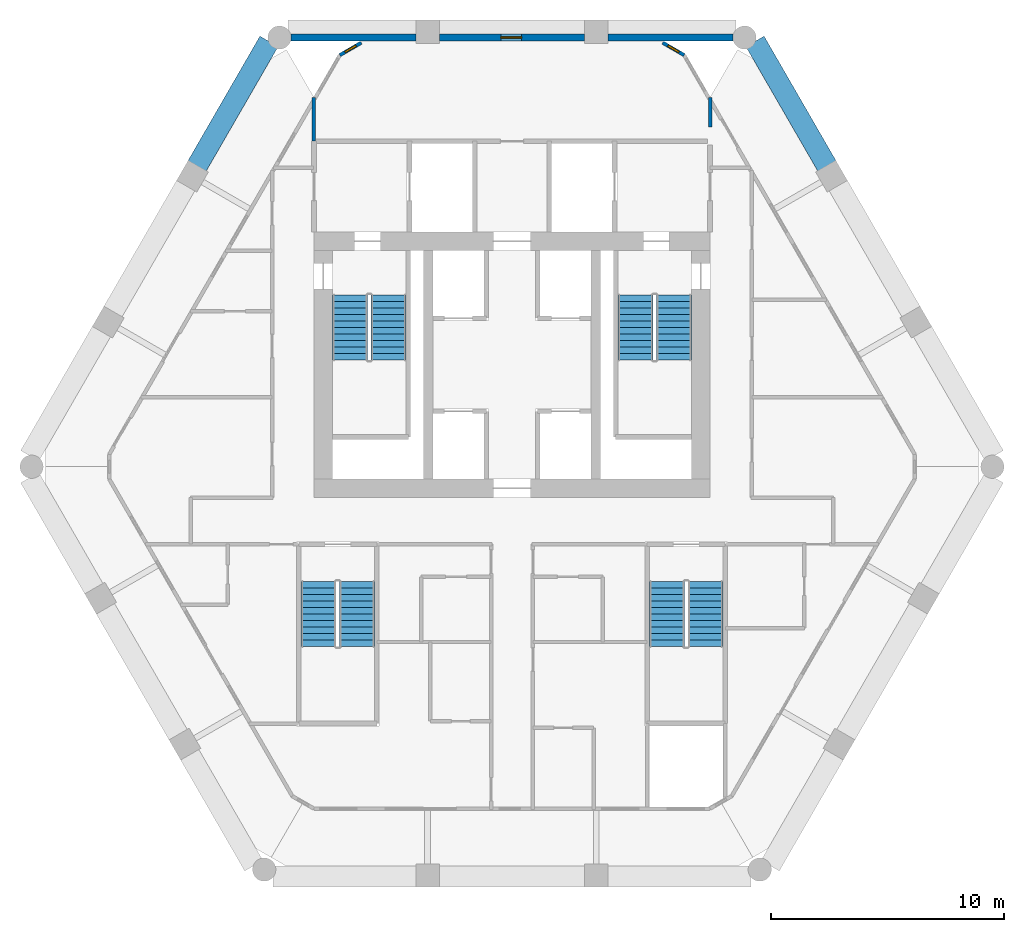
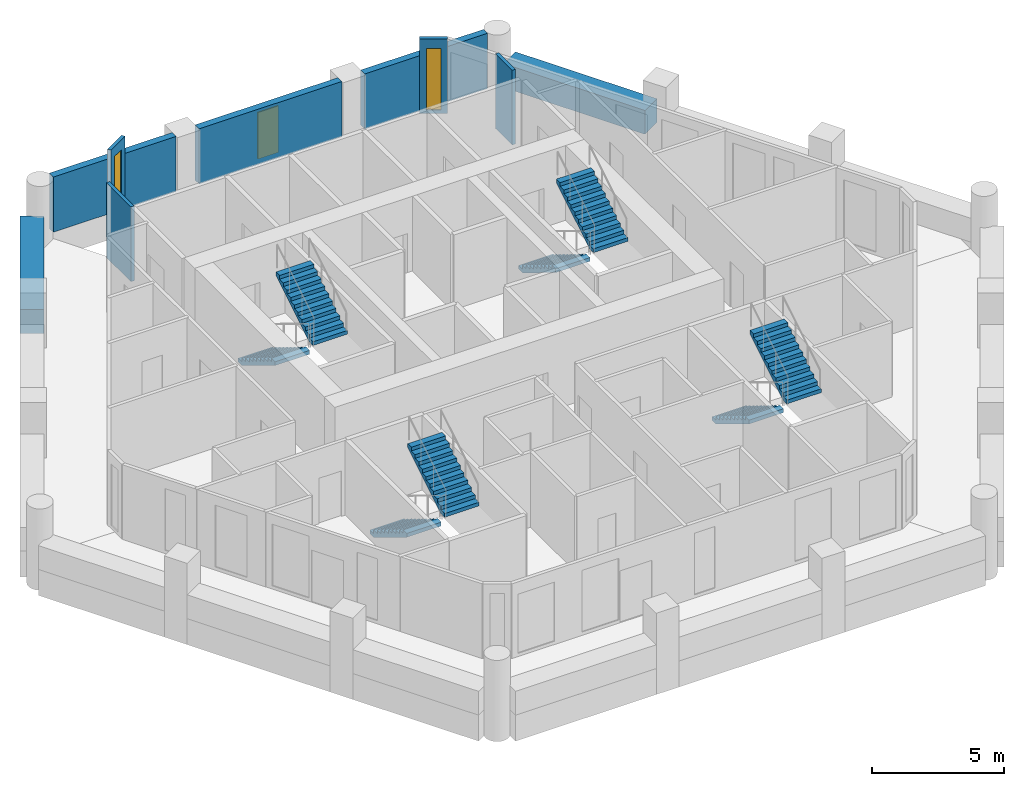
# One storey, part 6 of 7: 9 walls, 8 stair flights, 3 windows, 3 openings, 4 elements without a shape of their own.
"""IFC4 building model written with IfcOpenShell, lengths in metres."""

from ifc_helpers import new_model, si_unit, direction, frame, frame_2d, origin, place, context, subcontext, project, spatial, polyline, rectangle, outline, extrude, material, layer, layer_set, type_object, element, fill, aggregate, save


model = new_model("IFC4")

# Units and contexts
model_context = context("Model", 3, precision=1e-05, world=origin(), true_north=direction((0.0, 1.0)))
body_context = subcontext(model_context, "Body", "Model", "MODEL_VIEW")
ifc_project = project(units=[si_unit("LENGTHUNIT", "METRE"), si_unit("AREAUNIT", "SQUARE_METRE"), si_unit("VOLUMEUNIT", "CUBIC_METRE"), si_unit("PLANEANGLEUNIT", "RADIAN"), si_unit("MASSUNIT", "GRAM", prefix="KILO")], contexts=[model_context])

# Site, building, storey
site_placement = place(None, origin())
site = spatial("IfcSite", under=ifc_project, at=site_placement, CompositionType="ELEMENT")
building_placement = place(site_placement, origin())
building = spatial("IfcBuilding", under=site, at=building_placement, Name="Ostrander Bayou Hotel Tower", CompositionType="ELEMENT")
storey_placement = place(building_placement, frame((0.0, 0.0, 168.25)))
storey = spatial("IfcBuildingStorey", under=building, at=storey_placement, Name="L41", CompositionType="ELEMENT", Elevation=168.25)

# Wall, opening, window
ifc_material_1 = material(Name="Aluminium framed insulated wall", Category="aluminium")
ifc_layer_1 = layer(ifc_material_1, 0.14990234375)
ifc_layer_set_1 = layer_set([ifc_layer_1], Name="GW1 glass-line wall 150 mm")
wall_type_1 = type_object("IfcWallType", Name="GW1 glass-line wall 150 mm", PredefinedType="SOLIDWALL", material=ifc_layer_set_1)
wall_1_placement = place(storey_placement, frame((-6.470458984375, 17.824951171875, 0.0), z_axis=(0.0, 0.0, 1.0), x_axis=(-0.866048165231, -0.499960573946, 0.0)))
wall_1 = element("IfcWall", 1, at=wall_1_placement, inside=storey, type_object=wall_type_1, Name="GW1 L41 corner 1", PredefinedType="SOLIDWALL", context=body_context, shape_type="SweptSolid", body=[
    extrude(rectangle(XDim=1.06494140625, YDim=0.14990234375, at=frame_2d((0.532470703125, 0.0))), origin(), (0.0, 0.0, 1.0), 3.449951171875),
])
opening_1_placement = place(wall_1_placement, frame((0.257568359375, 0.0, 0.14990234375)))
opening_1 = element("IfcOpeningElement", 2, at=opening_1_placement, cuts=wall_1, Name="Opening W19", PredefinedType="OPENING", context=body_context, shape_type="SweptSolid", body=[
    extrude(rectangle(XDim=0.550048828125, YDim=2.85009765625, at=frame_2d((0.27490234375, 1.425048828125))), frame((0.0, 0.074951171875, 0.0), z_axis=(0.0, -1.0, 0.0), x_axis=(1.0, 0.0, 0.0)), (0.0, 0.0, 1.0), 0.14990234375),
])
ifc_material_2 = material(Name="Aluminium and clear glass", Category="aluminium")
window_type_1 = type_object("IfcWindowType", Name="W19 corner window 550 mm", PartitioningType="SINGLE_PANEL", PredefinedType="WINDOW", material=ifc_material_2)
window_1_placement = place(opening_1_placement, origin())
window_1 = element("IfcWindow", 3, at=window_1_placement, inside=storey, type_object=window_type_1, Name="W19 L41 corner 1", OverallHeight=2.85009765625, OverallWidth=0.550048828125, PartitioningType="SINGLE_PANEL", PredefinedType="WINDOW", context=body_context, shape_type="SweptSolid", body=[
    extrude(rectangle(XDim=0.550048828125, YDim=2.85009765625, at=frame_2d((0.27490234375, 1.425048828125))), frame((0.0, 0.030029296875, 0.0), z_axis=(0.0, -1.0, 0.0), x_axis=(1.0, 0.0, 0.0)), (0.0, 0.0, 1.0), 0.06005859375),
])
fill(opening_1, window_1)

wall_2_placement = place(storey_placement, frame((7.392822265625, 17.29248046875, 0.0), z_axis=(0.0, 0.0, 1.0), x_axis=(-0.866048165231, 0.499960573946, 0.0)))
wall_2 = element("IfcWall", 4, at=wall_2_placement, inside=storey, type_object=wall_type_1, Name="GW1 L41 corner 6", PredefinedType="SOLIDWALL", context=body_context, shape_type="SweptSolid", body=[
    extrude(rectangle(XDim=1.06494140625, YDim=0.14990234375, at=frame_2d((0.532470703125, 0.0))), origin(), (0.0, 0.0, 1.0), 3.449951171875),
])
opening_2_placement = place(wall_2_placement, frame((0.257568359375, 0.0, 0.14990234375)))
opening_2 = element("IfcOpeningElement", 5, at=opening_2_placement, cuts=wall_2, Name="Opening W19", PredefinedType="OPENING", context=body_context, shape_type="SweptSolid", body=[
    extrude(rectangle(XDim=0.550048828125, YDim=2.85009765625, at=frame_2d((0.27490234375, 1.425048828125))), frame((0.0, 0.074951171875, 0.0), z_axis=(0.0, -1.0, 0.0), x_axis=(1.0, 0.0, 0.0)), (0.0, 0.0, 1.0), 0.14990234375),
])
window_2_placement = place(opening_2_placement, origin())
window_2 = element("IfcWindow", 6, at=window_2_placement, inside=storey, type_object=window_type_1, Name="W19 L41 corner 6", OverallHeight=2.85009765625, OverallWidth=0.550048828125, PartitioningType="SINGLE_PANEL", PredefinedType="WINDOW", context=body_context, shape_type="SweptSolid", body=[
    extrude(rectangle(XDim=0.550048828125, YDim=2.85009765625, at=frame_2d((0.27490234375, 1.425048828125))), frame((0.0, 0.030029296875, 0.0), z_axis=(0.0, -1.0, 0.0), x_axis=(1.0, 0.0, 0.0)), (0.0, 0.0, 1.0), 0.06005859375),
])
fill(opening_2, window_2)

# Wall
ifc_material_3 = material(Name="Reconstituted stone on masonry backing", Category="masonry")
ifc_layer_2 = layer(ifc_material_3, 0.300048828125)
ifc_layer_set_2 = layer_set([ifc_layer_2], Name="NW1 north stone wall 300 mm")
wall_type_2 = type_object("IfcWallType", Name="NW1 north stone wall 300 mm", PredefinedType="SOLIDWALL", material=ifc_layer_set_2)
wall_3_placement = place(storey_placement, frame((9.484375, 18.050048828125, 0.0), z_axis=(0.0, 0.0, 1.0), x_axis=(-1.0, 0.0, 0.0)))
element("IfcWall", 7, at=wall_3_placement, inside=storey, type_object=wall_type_2, Name="NW1 L41 N-1", PredefinedType="SOLIDWALL", context=body_context, shape_type="SweptSolid", body=[
    extrude(rectangle(XDim=5.3662109375, YDim=0.300048828125, at=frame_2d((2.68310546875, 0.0))), origin(), (0.0, 0.0, 1.0), 2.550048828125),
])

# Wall, opening, window
wall_4_placement = place(storey_placement, frame((3.1181640625, 18.050048828125, 0.0), z_axis=(0.0, 0.0, 1.0), x_axis=(-1.0, 0.0, 0.0)))
wall_4 = element("IfcWall", 8, at=wall_4_placement, inside=storey, type_object=wall_type_2, Name="NW1 L41 N-2", PredefinedType="SOLIDWALL", context=body_context, shape_type="SweptSolid", body=[
    extrude(rectangle(XDim=6.236328125, YDim=0.300048828125, at=frame_2d((3.1181640625, 0.0))), origin(), (0.0, 0.0, 1.0), 2.550048828125),
])
opening_3_placement = place(wall_4_placement, frame((2.699951171875, 0.0, 0.14990234375)))
opening_3 = element("IfcOpeningElement", 9, at=opening_3_placement, cuts=wall_4, Name="Opening W17", PredefinedType="OPENING", context=body_context, shape_type="SweptSolid", body=[
    extrude(rectangle(XDim=0.89990234375, YDim=2.14990234375, at=frame_2d((0.449951171875, 1.074951171875))), frame((0.0, 0.14990234375, 0.0), z_axis=(0.0, -1.0, 0.0), x_axis=(1.0, 0.0, 0.0)), (0.0, 0.0, 1.0), 0.300048828125),
])
ifc_material_4 = material(Name="Aluminium and clear glass", Category="aluminium")
window_type_2 = type_object("IfcWindowType", Name="W17 window 900 mm, zone 3", PartitioningType="SINGLE_PANEL", PredefinedType="WINDOW", material=ifc_material_4)
window_3_placement = place(opening_3_placement, origin())
window_3 = element("IfcWindow", 10, at=window_3_placement, inside=storey, type_object=window_type_2, Name="W17 L41 north N-2", OverallHeight=2.14990234375, OverallWidth=0.89990234375, PartitioningType="SINGLE_PANEL", PredefinedType="WINDOW", context=body_context, shape_type="SweptSolid", body=[
    extrude(rectangle(XDim=0.89990234375, YDim=2.14990234375, at=frame_2d((0.449951171875, 1.074951171875))), frame((0.0, 0.030029296875, 0.0), z_axis=(0.0, -1.0, 0.0), x_axis=(1.0, 0.0, 0.0)), (0.0, 0.0, 1.0), 0.06005859375),
])
fill(opening_3, window_3)

# Walls
wall_5_placement = place(storey_placement, frame((-4.1181640625, 18.050048828125, 0.0), z_axis=(0.0, 0.0, 1.0), x_axis=(-1.0, 0.0, 0.0)))
element("IfcWall", 11, at=wall_5_placement, inside=storey, type_object=wall_type_2, Name="NW1 L41 N-3", PredefinedType="SOLIDWALL", context=body_context, shape_type="SweptSolid", body=[
    extrude(rectangle(XDim=5.3662109375, YDim=0.300048828125, at=frame_2d((2.68310546875, 0.0))), origin(), (0.0, 0.0, 1.0), 2.550048828125),
])
ifc_material_5 = material(Name="Concrete f'c 40 MPa", Category="concrete")
ifc_layer_3 = layer(ifc_material_5, 0.89990234375)
ifc_layer_set_3 = layer_set([ifc_layer_3], Name="PA1 stone-faced parapet 900 mm")
wall_type_3 = type_object("IfcWallType", Name="PA1 stone-faced parapet 900 mm", PredefinedType="PARAPET", material=ifc_layer_set_3)
for number, where, z_axis, x_axis, name in (
    (12, (-10.430908203125, 17.88037109375, 0.0), (0.0, 0.0, 1.0), (-0.49998343065, -0.866034969892, 0.0), "PA1 L41 NW-1"),
    (13, (13.521484375, 12.527099609375, 0.0), (0.0, 0.0, 1.0), (-0.49998343065, 0.866034969892, 0.0), "PA1 L41 NE-3"),
):
    element("IfcWall", number, at=place(storey_placement, frame(where, z_axis=z_axis, x_axis=x_axis)), inside=storey, type_object=wall_type_3, Name=name, PredefinedType="PARAPET", context=body_context, shape_type="SweptSolid", body=[
        extrude(rectangle(XDim=6.181396484375, YDim=0.89990234375, at=frame_2d((3.0908203125, 0.0))), origin(), (0.0, 0.0, 1.0), 1.10009765625),
    ])
ifc_material_6 = material(Name="Gypsum board partition", Category="finish")
ifc_layer_4 = layer(ifc_material_6, 0.14990234375)
ifc_layer_set_4 = layer_set([ifc_layer_4], Name="PT8 service band wall 150 mm, 1 hour")
wall_type_4 = type_object("IfcWallType", Name="PT8 service band wall 150 mm, 1 hour", PredefinedType="PARTITIONING", material=ifc_layer_set_4)
wall_6_placement = place(storey_placement, frame((8.5, 14.202880859375, 0.0), z_axis=(0.0, 0.0, 1.0), x_axis=(0.0, 1.0, 0.0)))
element("IfcWall", 14, at=wall_6_placement, inside=storey, type_object=wall_type_4, Name="gw:L41:027", PredefinedType="PARTITIONING", context=body_context, shape_type="SweptSolid", body=[
    extrude(rectangle(XDim=1.26220703125, YDim=0.14990234375, at=frame_2d((0.631103515625, 0.0))), origin(), (0.0, 0.0, 1.0), 3.449951171875),
])
wall_7_placement = place(storey_placement, frame((-8.5, 13.610107421875, 0.0), z_axis=(0.0, 0.0, 1.0), x_axis=(0.0, 1.0, 0.0)))
element("IfcWall", 15, at=wall_7_placement, inside=storey, type_object=wall_type_4, Name="gw:L41:035", PredefinedType="PARTITIONING", context=body_context, shape_type="SweptSolid", body=[
    extrude(rectangle(XDim=1.85498046875, YDim=0.14990234375, at=frame_2d((0.927490234375, 0.0))), origin(), (0.0, 0.0, 1.0), 3.449951171875),
])

# Stair, stair flights
ifc_material_7 = material(Name="Concrete f'c 45 MPa", Category="concrete")
stair_type = type_object("IfcStairType", Name="ST1 exit stair 1500 mm f'c 45 MPa", PredefinedType="HALF_TURN_STAIR", material=ifc_material_7)
stair_1_placement = place(storey_placement, origin())
stair_1 = element("IfcStair", 16, at=stair_1_placement, inside=storey, type_object=stair_type, Name="L41 exit stair A", PredefinedType="HALF_TURN_STAIR")
ifc_material_8 = material(Name="Concrete f'c 45 MPa", Category="concrete")
stair_flight_type = type_object("IfcStairFlightType", Name="SF1 stair flight 1500 mm f'c 45 MPa", PredefinedType="STRAIGHT", material=ifc_material_8)
stair_flight_1_placement = place(storey_placement, frame((-6.949951171875, 7.0, 0.0), z_axis=(0.0, 0.0, 1.0), x_axis=(0.0, -1.0, 0.0)))
stair_flight_1 = element("IfcStairFlight", 17, at=stair_flight_1_placement, type_object=stair_flight_type, Name="STA flight 1", NumberOfRisers=11, NumberOfTreads=10, PredefinedType="STRAIGHT", RiserHeight=0.170454545, TreadLength=0.28, context=body_context, shape_type="SweptSolid", body=[
    extrude(outline(polyline([(0.0, 0.0), (0.0, 0.17041015625), (0.280029296875, 0.17041015625), (0.280029296875, 0.3408203125), (0.56005859375, 0.3408203125), (0.56005859375, 0.511474609375), (0.840087890625, 0.511474609375), (0.840087890625, 0.681884765625), (1.1201171875, 0.681884765625), (1.1201171875, 0.852294921875), (1.39990234375, 0.852294921875), (1.39990234375, 1.022705078125), (1.679931640625, 1.022705078125), (1.679931640625, 1.193115234375), (1.9599609375, 1.193115234375), (1.9599609375, 1.363525390625), (2.239990234375, 1.363525390625), (2.239990234375, 1.5341796875), (2.52001953125, 1.5341796875), (2.52001953125, 1.70458984375), (2.800048828125, 1.70458984375), (2.800048828125, 1.875), (2.800048828125, 1.529052734375), (0.288330078125, 0.0), (0.0, 0.0)])), frame((0.0, 0.75, 0.0), z_axis=(0.0, -1.0, 0.0), x_axis=(1.0, 0.0, 0.0)), (0.0, 0.0, 1.0), 1.5),
])
stair_flight_2_placement = place(storey_placement, frame((-5.300048828125, 4.199951171875, 1.875), z_axis=(0.0, 0.0, 1.0), x_axis=(0.0, 1.0, 0.0)))
stair_flight_2 = element("IfcStairFlight", 18, at=stair_flight_2_placement, type_object=stair_flight_type, Name="STA flight 2", NumberOfRisers=11, NumberOfTreads=10, PredefinedType="STRAIGHT", RiserHeight=0.170454545, TreadLength=0.28, context=body_context, shape_type="SweptSolid", body=[
    extrude(outline(polyline([(0.0, 0.0), (0.0, 0.17041015625), (0.280029296875, 0.17041015625), (0.280029296875, 0.3408203125), (0.56005859375, 0.3408203125), (0.56005859375, 0.511474609375), (0.840087890625, 0.511474609375), (0.840087890625, 0.681884765625), (1.1201171875, 0.681884765625), (1.1201171875, 0.852294921875), (1.39990234375, 0.852294921875), (1.39990234375, 1.022705078125), (1.679931640625, 1.022705078125), (1.679931640625, 1.193115234375), (1.9599609375, 1.193115234375), (1.9599609375, 1.363525390625), (2.239990234375, 1.363525390625), (2.239990234375, 1.5341796875), (2.52001953125, 1.5341796875), (2.52001953125, 1.70458984375), (2.800048828125, 1.70458984375), (2.800048828125, 1.875), (2.800048828125, 1.529052734375), (0.288330078125, 0.0), (0.0, 0.0)])), frame((0.0, 0.75, 0.0), z_axis=(0.0, -1.0, 0.0), x_axis=(1.0, 0.0, 0.0)), (0.0, 0.0, 1.0), 1.5),
])
aggregate(stair_1, [stair_flight_1, stair_flight_2])

stair_2_placement = place(storey_placement, origin())
stair_2 = element("IfcStair", 19, at=stair_2_placement, inside=storey, type_object=stair_type, Name="L41 exit stair B", PredefinedType="HALF_TURN_STAIR")
stair_flight_3_placement = place(storey_placement, frame((5.300048828125, 7.0, 0.0), z_axis=(0.0, 0.0, 1.0), x_axis=(0.0, -1.0, 0.0)))
stair_flight_3 = element("IfcStairFlight", 20, at=stair_flight_3_placement, type_object=stair_flight_type, Name="STB flight 1", NumberOfRisers=11, NumberOfTreads=10, PredefinedType="STRAIGHT", RiserHeight=0.170454545, TreadLength=0.28, context=body_context, shape_type="SweptSolid", body=[
    extrude(outline(polyline([(0.0, 0.0), (0.0, 0.17041015625), (0.280029296875, 0.17041015625), (0.280029296875, 0.3408203125), (0.56005859375, 0.3408203125), (0.56005859375, 0.511474609375), (0.840087890625, 0.511474609375), (0.840087890625, 0.681884765625), (1.1201171875, 0.681884765625), (1.1201171875, 0.852294921875), (1.39990234375, 0.852294921875), (1.39990234375, 1.022705078125), (1.679931640625, 1.022705078125), (1.679931640625, 1.193115234375), (1.9599609375, 1.193115234375), (1.9599609375, 1.363525390625), (2.239990234375, 1.363525390625), (2.239990234375, 1.5341796875), (2.52001953125, 1.5341796875), (2.52001953125, 1.70458984375), (2.800048828125, 1.70458984375), (2.800048828125, 1.875), (2.800048828125, 1.529052734375), (0.288330078125, 0.0), (0.0, 0.0)])), frame((0.0, 0.75, 0.0), z_axis=(0.0, -1.0, 0.0), x_axis=(1.0, 0.0, 0.0)), (0.0, 0.0, 1.0), 1.5),
])
stair_flight_4_placement = place(storey_placement, frame((6.949951171875, 4.199951171875, 1.875), z_axis=(0.0, 0.0, 1.0), x_axis=(0.0, 1.0, 0.0)))
stair_flight_4 = element("IfcStairFlight", 21, at=stair_flight_4_placement, type_object=stair_flight_type, Name="STB flight 2", NumberOfRisers=11, NumberOfTreads=10, PredefinedType="STRAIGHT", RiserHeight=0.170454545, TreadLength=0.28, context=body_context, shape_type="SweptSolid", body=[
    extrude(outline(polyline([(0.0, 0.0), (0.0, 0.17041015625), (0.280029296875, 0.17041015625), (0.280029296875, 0.3408203125), (0.56005859375, 0.3408203125), (0.56005859375, 0.511474609375), (0.840087890625, 0.511474609375), (0.840087890625, 0.681884765625), (1.1201171875, 0.681884765625), (1.1201171875, 0.852294921875), (1.39990234375, 0.852294921875), (1.39990234375, 1.022705078125), (1.679931640625, 1.022705078125), (1.679931640625, 1.193115234375), (1.9599609375, 1.193115234375), (1.9599609375, 1.363525390625), (2.239990234375, 1.363525390625), (2.239990234375, 1.5341796875), (2.52001953125, 1.5341796875), (2.52001953125, 1.70458984375), (2.800048828125, 1.70458984375), (2.800048828125, 1.875), (2.800048828125, 1.529052734375), (0.288330078125, 0.0), (0.0, 0.0)])), frame((0.0, 0.75, 0.0), z_axis=(0.0, -1.0, 0.0), x_axis=(1.0, 0.0, 0.0)), (0.0, 0.0, 1.0), 1.5),
])
aggregate(stair_2, [stair_flight_3, stair_flight_4])

stair_3_placement = place(storey_placement, origin())
stair_3 = element("IfcStair", 22, at=stair_3_placement, inside=storey, type_object=stair_type, Name="L41 exit stair C", PredefinedType="HALF_TURN_STAIR")
stair_flight_5_placement = place(storey_placement, frame((6.64990234375, -5.300048828125, 0.0), z_axis=(0.0, 0.0, 1.0), x_axis=(0.0, -1.0, 0.0)))
stair_flight_5 = element("IfcStairFlight", 23, at=stair_flight_5_placement, type_object=stair_flight_type, Name="STC flight 1", NumberOfRisers=11, NumberOfTreads=10, PredefinedType="STRAIGHT", RiserHeight=0.170454545, TreadLength=0.28, context=body_context, shape_type="SweptSolid", body=[
    extrude(outline(polyline([(0.0, 0.0), (0.0, 0.17041015625), (0.280029296875, 0.17041015625), (0.280029296875, 0.3408203125), (0.56005859375, 0.3408203125), (0.56005859375, 0.511474609375), (0.840087890625, 0.511474609375), (0.840087890625, 0.681884765625), (1.1201171875, 0.681884765625), (1.1201171875, 0.852294921875), (1.39990234375, 0.852294921875), (1.39990234375, 1.022705078125), (1.679931640625, 1.022705078125), (1.679931640625, 1.193115234375), (1.9599609375, 1.193115234375), (1.9599609375, 1.363525390625), (2.239990234375, 1.363525390625), (2.239990234375, 1.5341796875), (2.52001953125, 1.5341796875), (2.52001953125, 1.70458984375), (2.800048828125, 1.70458984375), (2.800048828125, 1.875), (2.800048828125, 1.529052734375), (0.288330078125, 0.0), (0.0, 0.0)])), frame((0.0, 0.75, 0.0), z_axis=(0.0, -1.0, 0.0), x_axis=(1.0, 0.0, 0.0)), (0.0, 0.0, 1.0), 1.5),
])
stair_flight_6_placement = place(storey_placement, frame((8.300048828125, -8.10009765625, 1.875), z_axis=(0.0, 0.0, 1.0), x_axis=(0.0, 1.0, 0.0)))
stair_flight_6 = element("IfcStairFlight", 24, at=stair_flight_6_placement, type_object=stair_flight_type, Name="STC flight 2", NumberOfRisers=11, NumberOfTreads=10, PredefinedType="STRAIGHT", RiserHeight=0.170454545, TreadLength=0.28, context=body_context, shape_type="SweptSolid", body=[
    extrude(outline(polyline([(0.0, 0.0), (0.0, 0.17041015625), (0.280029296875, 0.17041015625), (0.280029296875, 0.3408203125), (0.56005859375, 0.3408203125), (0.56005859375, 0.511474609375), (0.840087890625, 0.511474609375), (0.840087890625, 0.681884765625), (1.1201171875, 0.681884765625), (1.1201171875, 0.852294921875), (1.39990234375, 0.852294921875), (1.39990234375, 1.022705078125), (1.679931640625, 1.022705078125), (1.679931640625, 1.193115234375), (1.9599609375, 1.193115234375), (1.9599609375, 1.363525390625), (2.239990234375, 1.363525390625), (2.239990234375, 1.5341796875), (2.52001953125, 1.5341796875), (2.52001953125, 1.70458984375), (2.800048828125, 1.70458984375), (2.800048828125, 1.875), (2.800048828125, 1.529052734375), (0.288330078125, 0.0), (0.0, 0.0)])), frame((0.0, 0.75, 0.0), z_axis=(0.0, -1.0, 0.0), x_axis=(1.0, 0.0, 0.0)), (0.0, 0.0, 1.0), 1.5),
])
aggregate(stair_3, [stair_flight_5, stair_flight_6])

stair_4_placement = place(storey_placement, origin())
stair_4 = element("IfcStair", 25, at=stair_4_placement, inside=storey, type_object=stair_type, Name="L41 exit stair D", PredefinedType="HALF_TURN_STAIR")
stair_flight_7_placement = place(storey_placement, frame((-8.300048828125, -5.300048828125, 0.0), z_axis=(0.0, 0.0, 1.0), x_axis=(0.0, -1.0, 0.0)))
stair_flight_7 = element("IfcStairFlight", 26, at=stair_flight_7_placement, type_object=stair_flight_type, Name="STD flight 1", NumberOfRisers=11, NumberOfTreads=10, PredefinedType="STRAIGHT", RiserHeight=0.170454545, TreadLength=0.28, context=body_context, shape_type="SweptSolid", body=[
    extrude(outline(polyline([(0.0, 0.0), (0.0, 0.17041015625), (0.280029296875, 0.17041015625), (0.280029296875, 0.3408203125), (0.56005859375, 0.3408203125), (0.56005859375, 0.511474609375), (0.840087890625, 0.511474609375), (0.840087890625, 0.681884765625), (1.1201171875, 0.681884765625), (1.1201171875, 0.852294921875), (1.39990234375, 0.852294921875), (1.39990234375, 1.022705078125), (1.679931640625, 1.022705078125), (1.679931640625, 1.193115234375), (1.9599609375, 1.193115234375), (1.9599609375, 1.363525390625), (2.239990234375, 1.363525390625), (2.239990234375, 1.5341796875), (2.52001953125, 1.5341796875), (2.52001953125, 1.70458984375), (2.800048828125, 1.70458984375), (2.800048828125, 1.875), (2.800048828125, 1.529052734375), (0.288330078125, 0.0), (0.0, 0.0)])), frame((0.0, 0.75, 0.0), z_axis=(0.0, -1.0, 0.0), x_axis=(1.0, 0.0, 0.0)), (0.0, 0.0, 1.0), 1.5),
])
stair_flight_8_placement = place(storey_placement, frame((-6.64990234375, -8.10009765625, 1.875), z_axis=(0.0, 0.0, 1.0), x_axis=(0.0, 1.0, 0.0)))
stair_flight_8 = element("IfcStairFlight", 27, at=stair_flight_8_placement, type_object=stair_flight_type, Name="STD flight 2", NumberOfRisers=11, NumberOfTreads=10, PredefinedType="STRAIGHT", RiserHeight=0.170454545, TreadLength=0.28, context=body_context, shape_type="SweptSolid", body=[
    extrude(outline(polyline([(0.0, 0.0), (0.0, 0.17041015625), (0.280029296875, 0.17041015625), (0.280029296875, 0.3408203125), (0.56005859375, 0.3408203125), (0.56005859375, 0.511474609375), (0.840087890625, 0.511474609375), (0.840087890625, 0.681884765625), (1.1201171875, 0.681884765625), (1.1201171875, 0.852294921875), (1.39990234375, 0.852294921875), (1.39990234375, 1.022705078125), (1.679931640625, 1.022705078125), (1.679931640625, 1.193115234375), (1.9599609375, 1.193115234375), (1.9599609375, 1.363525390625), (2.239990234375, 1.363525390625), (2.239990234375, 1.5341796875), (2.52001953125, 1.5341796875), (2.52001953125, 1.70458984375), (2.800048828125, 1.70458984375), (2.800048828125, 1.875), (2.800048828125, 1.529052734375), (0.288330078125, 0.0), (0.0, 0.0)])), frame((0.0, 0.75, 0.0), z_axis=(0.0, -1.0, 0.0), x_axis=(1.0, 0.0, 0.0)), (0.0, 0.0, 1.0), 1.5),
])
aggregate(stair_4, [stair_flight_7, stair_flight_8])

save(model, "model.ifc")
